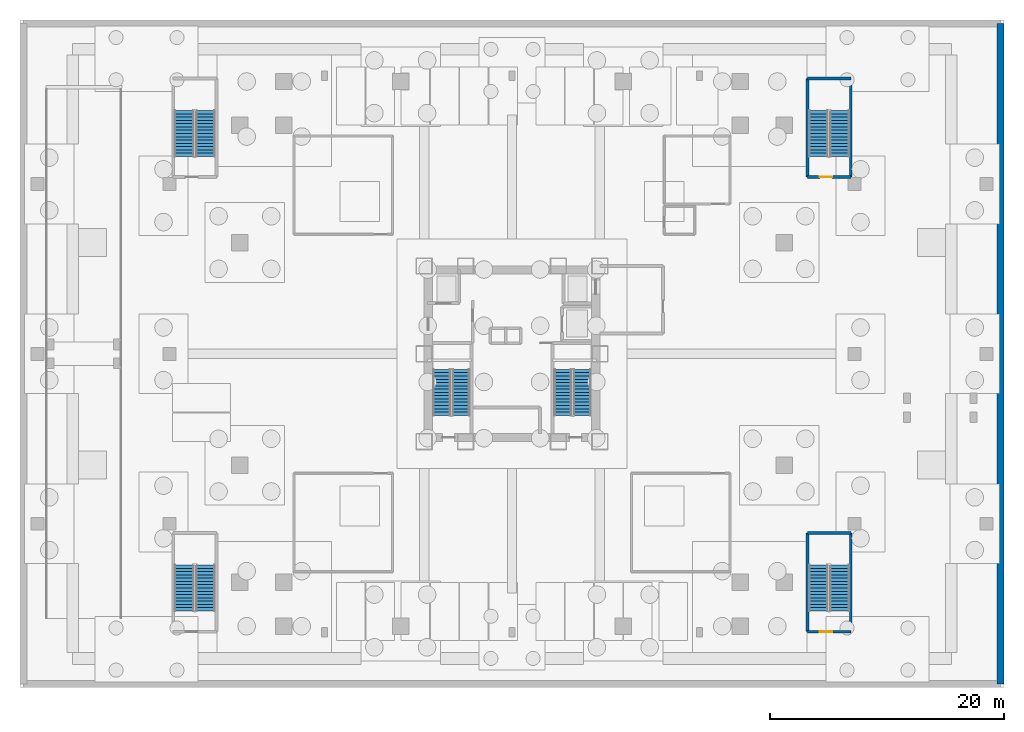
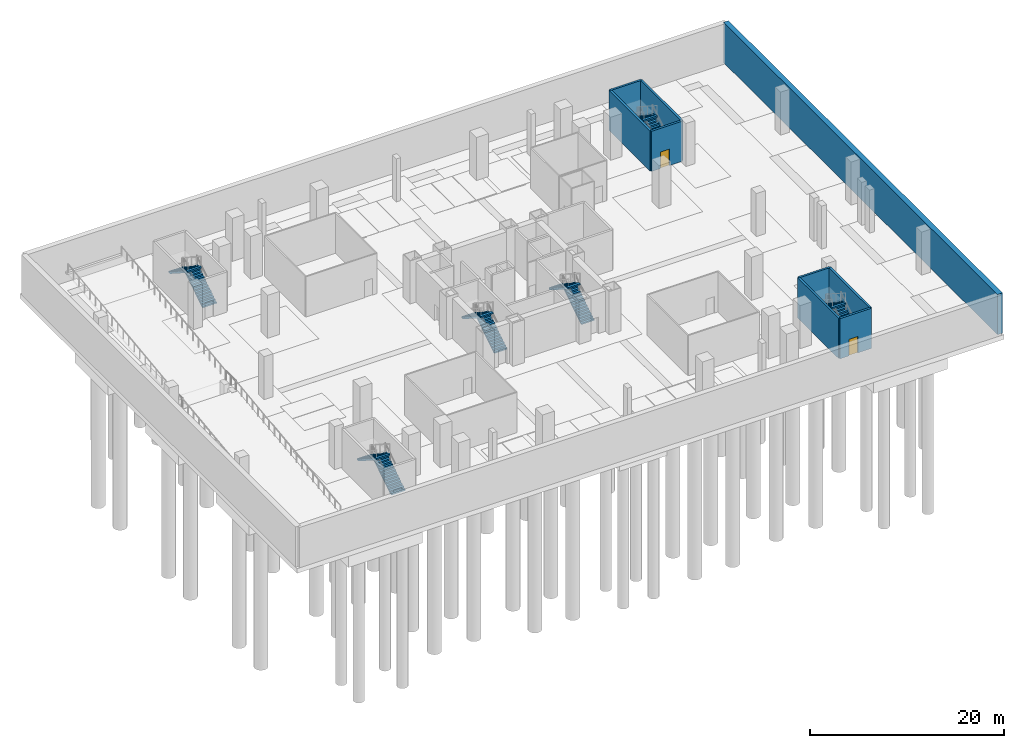
# One storey, part 7 of 16: 12 stair flights, 9 walls, 2 doors, 2 openings, 6 elements without a shape of their own.
"""IFC4 building model written with IfcOpenShell, lengths in metres."""

from ifc_helpers import new_model, si_unit, direction, frame, frame_2d, origin, place, context, subcontext, project, spatial, polyline, rectangle, outline, extrude, material, layer, layer_set, type_object, element, fill, aggregate, save


model = new_model("IFC4")

# Units and contexts
model_context = context("Model", 3, precision=1e-05, world=origin(), true_north=direction((0.0, 1.0)))
body_context = subcontext(model_context, "Body", "Model", "MODEL_VIEW")
ifc_project = project(units=[si_unit("LENGTHUNIT", "METRE"), si_unit("AREAUNIT", "SQUARE_METRE"), si_unit("VOLUMEUNIT", "CUBIC_METRE"), si_unit("PLANEANGLEUNIT", "RADIAN"), si_unit("MASSUNIT", "GRAM", prefix="KILO")], contexts=[model_context])

# Site, building, storey
site_placement = place(None, origin())
site = spatial("IfcSite", under=ifc_project, at=site_placement, CompositionType="ELEMENT")
building_placement = place(site_placement, origin())
building = spatial("IfcBuilding", under=site, at=building_placement, Name="Trevonay Congress Spire", CompositionType="ELEMENT")
storey_placement = place(building_placement, frame((0.0, 0.0, -10.800048828125)))
storey = spatial("IfcBuildingStorey", under=building, at=storey_placement, Name="B2", CompositionType="ELEMENT", Elevation=-10.800048828125)

# Wall
ifc_material_1 = material(Name="Concrete C50/60", Category="concrete")
ifc_layer_1 = layer(ifc_material_1, 0.60009765625, Name="Concrete C50/60")
ifc_layer_set_1 = layer_set([ifc_layer_1], Name="Concrete C50/60")
wall_type_1 = type_object("IfcWallType", Name="WAL-RETAIN-600", PredefinedType="USERDEFINED", material=ifc_layer_set_1)
wall_1_placement = place(storey_placement, frame((41.699951171875, -28.199951171875, 0.0), z_axis=(0.0, 0.0, 1.0), x_axis=(0.0, 1.0, 0.0)))
element("IfcWall", 1, at=wall_1_placement, inside=storey, type_object=wall_type_1, Name="B2 E perimeter concrete diaphragm retaining wall", ObjectType="RETAININGWALL", PredefinedType="USERDEFINED", context=body_context, shape_type="SweptSolid", body=[
    extrude(rectangle(XDim=56.39990234375, YDim=0.60009765625, at=frame_2d((28.199951171875, 0.0))), origin(), (0.0, 0.0, 1.0), 5.050048828125),
])

# Wall, opening, door
ifc_material_2 = material(Name="Concrete C40/50", Category="concrete")
ifc_layer_2 = layer(ifc_material_2, 0.25, Name="Concrete C40/50")
ifc_layer_set_2 = layer_set([ifc_layer_2], Name="Concrete C40/50")
wall_type_2 = type_object("IfcWallType", Name="WAL-SHAFT-LB-250", PredefinedType="SHEAR", material=ifc_layer_set_2)
wall_2_placement = place(storey_placement, frame((25.22998046875, -23.719970703125, 0.0), z_axis=(0.0, 0.0, 1.0), x_axis=(1.0, 0.0, 0.0)))
wall_2 = element("IfcWall", 2, at=wall_2_placement, inside=storey, type_object=wall_type_2, Name="B2 interior shaft wall WSH-B2-ST-4-S", PredefinedType="SHEAR", context=body_context, shape_type="SweptSolid", body=[
    extrude(rectangle(XDim=3.68994140625, YDim=0.25, at=frame_2d((1.844970703125, 0.0))), origin(), (0.0, 0.0, 1.0), 5.050048828125),
])
opening_1_placement = place(wall_2_placement, frame((1.050048828125, 0.0, 0.0)))
opening_1 = element("IfcOpeningElement", 3, at=opening_1_placement, cuts=wall_2, Name="Opening D05", PredefinedType="OPENING", context=body_context, shape_type="SweptSolid", body=[
    extrude(rectangle(XDim=1.050048828125, YDim=2.080078125, at=frame_2d((0.52490234375, 1.0400390625))), frame((0.0, 0.135009765625, 0.0), z_axis=(0.0, -1.0, 0.0), x_axis=(1.0, 0.0, 0.0)), (0.0, 0.0, 1.0), 0.27001953125),
])
ifc_material_3 = material(Name="Steel ASTM A572 Grade 50", Category="steel")
door_type = type_object("IfcDoorType", Name="DOR-STAIR-110", OperationType="NOTDEFINED", PredefinedType="DOOR", material=ifc_material_3)
door_1_placement = place(opening_1_placement, origin())
door_1 = element("IfcDoor", 4, at=door_1_placement, inside=storey, type_object=door_type, Name="B2 Escape Stair ST-4 Door", OperationType="SINGLE_SWING_RIGHT", OverallHeight=2.080078125, OverallWidth=1.050048828125, PredefinedType="DOOR", context=body_context, shape_type="SweptSolid", body=[
    extrude(rectangle(XDim=1.050048828125, YDim=2.080078125, at=frame_2d((0.52490234375, 1.0400390625))), frame((0.0, 0.02490234375, 0.0), z_axis=(0.0, -1.0, 0.0), x_axis=(1.0, 0.0, 0.0)), (0.0, 0.0, 1.0), 0.050048828125),
])
fill(opening_1, door_1)

# Walls
wall_3_placement = place(storey_placement, frame((25.22998046875, -15.280029296875, 0.0), z_axis=(0.0, 0.0, 1.0), x_axis=(1.0, 0.0, 0.0)))
element("IfcWall", 5, at=wall_3_placement, inside=storey, type_object=wall_type_2, Name="B2 interior shaft wall WSH-B2-ST-4-N", PredefinedType="SHEAR", context=body_context, shape_type="SweptSolid", body=[
    extrude(rectangle(XDim=3.68994140625, YDim=0.25, at=frame_2d((1.844970703125, 0.0))), origin(), (0.0, 0.0, 1.0), 5.050048828125),
])
for number, where, z_axis, x_axis, name in (
    (6, (25.22998046875, -23.719970703125, 0.0), (0.0, 0.0, 1.0), (0.0, 1.0, 0.0), "B2 interior shaft wall WSH-B2-ST-4-W"),
    (7, (28.919921875, -23.719970703125, 0.0), (0.0, 0.0, 1.0), (0.0, 1.0, 0.0), "B2 interior shaft wall WSH-B2-ST-4-E"),
):
    element("IfcWall", number, at=place(storey_placement, frame(where, z_axis=z_axis, x_axis=x_axis)), inside=storey, type_object=wall_type_2, Name=name, PredefinedType="SHEAR", context=body_context, shape_type="SweptSolid", body=[
        extrude(rectangle(XDim=8.43994140625, YDim=0.25, at=frame_2d((4.219970703125, 0.0))), origin(), (0.0, 0.0, 1.0), 5.050048828125),
    ])

# Wall, opening, door
wall_4_placement = place(storey_placement, frame((25.22998046875, 15.080078125, 0.0), z_axis=(0.0, 0.0, 1.0), x_axis=(1.0, 0.0, 0.0)))
wall_4 = element("IfcWall", 8, at=wall_4_placement, inside=storey, type_object=wall_type_2, Name="B2 interior shaft wall WSH-B2-ST-6-S", PredefinedType="SHEAR", context=body_context, shape_type="SweptSolid", body=[
    extrude(rectangle(XDim=3.68994140625, YDim=0.25, at=frame_2d((1.844970703125, 0.0))), origin(), (0.0, 0.0, 1.0), 5.050048828125),
])
opening_2_placement = place(wall_4_placement, frame((1.050048828125, 0.0, 0.0)))
opening_2 = element("IfcOpeningElement", 9, at=opening_2_placement, cuts=wall_4, Name="Opening D05", PredefinedType="OPENING", context=body_context, shape_type="SweptSolid", body=[
    extrude(rectangle(XDim=1.050048828125, YDim=2.080078125, at=frame_2d((0.52490234375, 1.0400390625))), frame((0.0, 0.135009765625, 0.0), z_axis=(0.0, -1.0, 0.0), x_axis=(1.0, 0.0, 0.0)), (0.0, 0.0, 1.0), 0.27001953125),
])
door_2_placement = place(opening_2_placement, origin())
door_2 = element("IfcDoor", 10, at=door_2_placement, inside=storey, type_object=door_type, Name="B2 Escape Stair ST-6 Door", OperationType="SINGLE_SWING_RIGHT", OverallHeight=2.080078125, OverallWidth=1.050048828125, PredefinedType="DOOR", context=body_context, shape_type="SweptSolid", body=[
    extrude(rectangle(XDim=1.050048828125, YDim=2.080078125, at=frame_2d((0.52490234375, 1.0400390625))), frame((0.0, 0.02490234375, 0.0), z_axis=(0.0, -1.0, 0.0), x_axis=(1.0, 0.0, 0.0)), (0.0, 0.0, 1.0), 0.050048828125),
])
fill(opening_2, door_2)

# Walls
wall_5_placement = place(storey_placement, frame((25.22998046875, 23.52001953125, 0.0), z_axis=(0.0, 0.0, 1.0), x_axis=(1.0, 0.0, 0.0)))
element("IfcWall", 11, at=wall_5_placement, inside=storey, type_object=wall_type_2, Name="B2 interior shaft wall WSH-B2-ST-6-N", PredefinedType="SHEAR", context=body_context, shape_type="SweptSolid", body=[
    extrude(rectangle(XDim=3.68994140625, YDim=0.25, at=frame_2d((1.844970703125, 0.0))), origin(), (0.0, 0.0, 1.0), 5.050048828125),
])
for number, where, z_axis, x_axis, name in (
    (12, (25.22998046875, 15.080078125, 0.0), (0.0, 0.0, 1.0), (0.0, 1.0, 0.0), "B2 interior shaft wall WSH-B2-ST-6-W"),
    (13, (28.919921875, 15.080078125, 0.0), (0.0, 0.0, 1.0), (0.0, 1.0, 0.0), "B2 interior shaft wall WSH-B2-ST-6-E"),
):
    element("IfcWall", number, at=place(storey_placement, frame(where, z_axis=z_axis, x_axis=x_axis)), inside=storey, type_object=wall_type_2, Name=name, PredefinedType="SHEAR", context=body_context, shape_type="SweptSolid", body=[
        extrude(rectangle(XDim=8.43994140625, YDim=0.25, at=frame_2d((4.219970703125, 0.0))), origin(), (0.0, 0.0, 1.0), 5.050048828125),
    ])

# Stair, stair flights
stair_type_1 = type_object("IfcStairType", Name="STR-ST-1", PredefinedType="HALF_TURN_STAIR", material=ifc_material_2)
stair_1_placement = place(storey_placement, origin())
stair_1 = element("IfcStair", 14, at=stair_1_placement, inside=storey, type_object=stair_type_1, Name="B2 Protected Exit Stair ST-1", PredefinedType="HALF_TURN_STAIR")
stair_flight_type_1 = type_object("IfcStairFlightType", Name="SFL-ST-1", PredefinedType="STRAIGHT", material=ifc_material_2)
stair_flight_1_placement = place(storey_placement, frame((-4.35009765625, -5.25, 0.0), z_axis=(0.0, 0.0, 1.0), x_axis=(0.0, 1.0, 0.0)))
stair_flight_1 = element("IfcStairFlight", 15, at=stair_flight_1_placement, type_object=stair_flight_type_1, Name="ST-1 flight 1", NumberOfRisers=15, NumberOfTreads=14, PredefinedType="STRAIGHT", RiserHeight=0.18, TreadLength=0.28, context=body_context, shape_type="SweptSolid", body=[
    extrude(outline(polyline([(0.0, 0.0), (0.0, 0.179931640625), (0.280029296875, 0.179931640625), (0.280029296875, 0.360107421875), (0.56005859375, 0.360107421875), (0.56005859375, 0.5400390625), (0.840087890625, 0.5400390625), (0.840087890625, 0.719970703125), (1.1201171875, 0.719970703125), (1.1201171875, 0.89990234375), (1.39990234375, 0.89990234375), (1.39990234375, 1.080078125), (1.679931640625, 1.080078125), (1.679931640625, 1.260009765625), (1.9599609375, 1.260009765625), (1.9599609375, 1.43994140625), (2.239990234375, 1.43994140625), (2.239990234375, 1.6201171875), (2.52001953125, 1.6201171875), (2.52001953125, 1.800048828125), (2.800048828125, 1.800048828125), (2.800048828125, 1.97998046875), (3.080078125, 1.97998046875), (3.080078125, 2.159912109375), (3.360107421875, 2.159912109375), (3.360107421875, 2.340087890625), (3.639892578125, 2.340087890625), (3.639892578125, 2.52001953125), (3.919921875, 2.52001953125), (3.919921875, 2.699951171875), (3.919921875, 2.341796875), (0.277099609375, 0.0), (0.0, 0.0)])), frame((0.0, 0.75, 0.0), z_axis=(0.0, -1.0, 0.0), x_axis=(1.0, 0.0, 0.0)), (0.0, 0.0, 1.0), 1.5),
])
stair_flight_2_placement = place(storey_placement, frame((-6.0, -1.330078125, 2.699951171875), z_axis=(0.0, 0.0, 1.0), x_axis=(0.0, -1.0, 0.0)))
stair_flight_2 = element("IfcStairFlight", 16, at=stair_flight_2_placement, type_object=stair_flight_type_1, Name="ST-1 flight 2", NumberOfRisers=15, NumberOfTreads=14, PredefinedType="STRAIGHT", RiserHeight=0.18, TreadLength=0.28, context=body_context, shape_type="SweptSolid", body=[
    extrude(outline(polyline([(0.0, 0.0), (0.0, 0.179931640625), (0.280029296875, 0.179931640625), (0.280029296875, 0.360107421875), (0.56005859375, 0.360107421875), (0.56005859375, 0.5400390625), (0.840087890625, 0.5400390625), (0.840087890625, 0.719970703125), (1.1201171875, 0.719970703125), (1.1201171875, 0.89990234375), (1.39990234375, 0.89990234375), (1.39990234375, 1.080078125), (1.679931640625, 1.080078125), (1.679931640625, 1.260009765625), (1.9599609375, 1.260009765625), (1.9599609375, 1.43994140625), (2.239990234375, 1.43994140625), (2.239990234375, 1.6201171875), (2.52001953125, 1.6201171875), (2.52001953125, 1.800048828125), (2.800048828125, 1.800048828125), (2.800048828125, 1.97998046875), (3.080078125, 1.97998046875), (3.080078125, 2.159912109375), (3.360107421875, 2.159912109375), (3.360107421875, 2.340087890625), (3.639892578125, 2.340087890625), (3.639892578125, 2.52001953125), (3.919921875, 2.52001953125), (3.919921875, 2.699951171875), (3.919921875, 2.341796875), (0.277099609375, 0.0), (0.0, 0.0)])), frame((0.0, 0.75, 0.0), z_axis=(0.0, -1.0, 0.0), x_axis=(1.0, 0.0, 0.0)), (0.0, 0.0, 1.0), 1.5),
])
aggregate(stair_1, [stair_flight_1, stair_flight_2])

stair_type_2 = type_object("IfcStairType", Name="STR-ST-2", PredefinedType="HALF_TURN_STAIR", material=ifc_material_2)
stair_2_placement = place(storey_placement, origin())
stair_2 = element("IfcStair", 17, at=stair_2_placement, inside=storey, type_object=stair_type_2, Name="B2 Protected Exit Stair ST-2", PredefinedType="HALF_TURN_STAIR")
stair_flight_type_2 = type_object("IfcStairFlightType", Name="SFL-ST-2", PredefinedType="STRAIGHT", material=ifc_material_2)
stair_flight_3_placement = place(storey_placement, frame((6.0, -5.25, 0.0), z_axis=(0.0, 0.0, 1.0), x_axis=(0.0, 1.0, 0.0)))
stair_flight_3 = element("IfcStairFlight", 18, at=stair_flight_3_placement, type_object=stair_flight_type_2, Name="ST-2 flight 1", NumberOfRisers=15, NumberOfTreads=14, PredefinedType="STRAIGHT", RiserHeight=0.18, TreadLength=0.28, context=body_context, shape_type="SweptSolid", body=[
    extrude(outline(polyline([(0.0, 0.0), (0.0, 0.179931640625), (0.280029296875, 0.179931640625), (0.280029296875, 0.360107421875), (0.56005859375, 0.360107421875), (0.56005859375, 0.5400390625), (0.840087890625, 0.5400390625), (0.840087890625, 0.719970703125), (1.1201171875, 0.719970703125), (1.1201171875, 0.89990234375), (1.39990234375, 0.89990234375), (1.39990234375, 1.080078125), (1.679931640625, 1.080078125), (1.679931640625, 1.260009765625), (1.9599609375, 1.260009765625), (1.9599609375, 1.43994140625), (2.239990234375, 1.43994140625), (2.239990234375, 1.6201171875), (2.52001953125, 1.6201171875), (2.52001953125, 1.800048828125), (2.800048828125, 1.800048828125), (2.800048828125, 1.97998046875), (3.080078125, 1.97998046875), (3.080078125, 2.159912109375), (3.360107421875, 2.159912109375), (3.360107421875, 2.340087890625), (3.639892578125, 2.340087890625), (3.639892578125, 2.52001953125), (3.919921875, 2.52001953125), (3.919921875, 2.699951171875), (3.919921875, 2.341796875), (0.277099609375, 0.0), (0.0, 0.0)])), frame((0.0, 0.75, 0.0), z_axis=(0.0, -1.0, 0.0), x_axis=(1.0, 0.0, 0.0)), (0.0, 0.0, 1.0), 1.5),
])
stair_flight_4_placement = place(storey_placement, frame((4.35009765625, -1.330078125, 2.699951171875), z_axis=(0.0, 0.0, 1.0), x_axis=(0.0, -1.0, 0.0)))
stair_flight_4 = element("IfcStairFlight", 19, at=stair_flight_4_placement, type_object=stair_flight_type_2, Name="ST-2 flight 2", NumberOfRisers=15, NumberOfTreads=14, PredefinedType="STRAIGHT", RiserHeight=0.18, TreadLength=0.28, context=body_context, shape_type="SweptSolid", body=[
    extrude(outline(polyline([(0.0, 0.0), (0.0, 0.179931640625), (0.280029296875, 0.179931640625), (0.280029296875, 0.360107421875), (0.56005859375, 0.360107421875), (0.56005859375, 0.5400390625), (0.840087890625, 0.5400390625), (0.840087890625, 0.719970703125), (1.1201171875, 0.719970703125), (1.1201171875, 0.89990234375), (1.39990234375, 0.89990234375), (1.39990234375, 1.080078125), (1.679931640625, 1.080078125), (1.679931640625, 1.260009765625), (1.9599609375, 1.260009765625), (1.9599609375, 1.43994140625), (2.239990234375, 1.43994140625), (2.239990234375, 1.6201171875), (2.52001953125, 1.6201171875), (2.52001953125, 1.800048828125), (2.800048828125, 1.800048828125), (2.800048828125, 1.97998046875), (3.080078125, 1.97998046875), (3.080078125, 2.159912109375), (3.360107421875, 2.159912109375), (3.360107421875, 2.340087890625), (3.639892578125, 2.340087890625), (3.639892578125, 2.52001953125), (3.919921875, 2.52001953125), (3.919921875, 2.699951171875), (3.919921875, 2.341796875), (0.277099609375, 0.0), (0.0, 0.0)])), frame((0.0, 0.75, 0.0), z_axis=(0.0, -1.0, 0.0), x_axis=(1.0, 0.0, 0.0)), (0.0, 0.0, 1.0), 1.5),
])
aggregate(stair_2, [stair_flight_3, stair_flight_4])

stair_type_3 = type_object("IfcStairType", Name="STR-ST-3", PredefinedType="HALF_TURN_STAIR", material=ifc_material_2)
stair_3_placement = place(storey_placement, origin())
stair_3 = element("IfcStair", 20, at=stair_3_placement, inside=storey, type_object=stair_type_3, Name="B2 Protected Exit Stair ST-3", PredefinedType="HALF_TURN_STAIR")
stair_flight_type_3 = type_object("IfcStairFlightType", Name="SFL-ST-3", PredefinedType="STRAIGHT", material=ifc_material_2)
stair_flight_5_placement = place(storey_placement, frame((-26.175048828125, -21.949951171875, 0.0), z_axis=(0.0, 0.0, 1.0), x_axis=(0.0, 1.0, 0.0)))
stair_flight_5 = element("IfcStairFlight", 21, at=stair_flight_5_placement, type_object=stair_flight_type_3, Name="ST-3 flight 1", NumberOfRisers=15, NumberOfTreads=14, PredefinedType="STRAIGHT", RiserHeight=0.18, TreadLength=0.28, context=body_context, shape_type="SweptSolid", body=[
    extrude(outline(polyline([(0.0, 0.0), (0.0, 0.179931640625), (0.280029296875, 0.179931640625), (0.280029296875, 0.360107421875), (0.56005859375, 0.360107421875), (0.56005859375, 0.5400390625), (0.840087890625, 0.5400390625), (0.840087890625, 0.719970703125), (1.1201171875, 0.719970703125), (1.1201171875, 0.89990234375), (1.39990234375, 0.89990234375), (1.39990234375, 1.080078125), (1.679931640625, 1.080078125), (1.679931640625, 1.260009765625), (1.9599609375, 1.260009765625), (1.9599609375, 1.43994140625), (2.239990234375, 1.43994140625), (2.239990234375, 1.6201171875), (2.52001953125, 1.6201171875), (2.52001953125, 1.800048828125), (2.800048828125, 1.800048828125), (2.800048828125, 1.97998046875), (3.080078125, 1.97998046875), (3.080078125, 2.159912109375), (3.360107421875, 2.159912109375), (3.360107421875, 2.340087890625), (3.639892578125, 2.340087890625), (3.639892578125, 2.52001953125), (3.919921875, 2.52001953125), (3.919921875, 2.699951171875), (3.919921875, 2.341796875), (0.277099609375, 0.0), (0.0, 0.0)])), frame((0.0, 0.824951171875, 0.0), z_axis=(0.0, -1.0, 0.0), x_axis=(1.0, 0.0, 0.0)), (0.0, 0.0, 1.0), 1.64990234375),
])
stair_flight_6_placement = place(storey_placement, frame((-27.97509765625, -18.030029296875, 2.699951171875), z_axis=(0.0, 0.0, 1.0), x_axis=(0.0, -1.0, 0.0)))
stair_flight_6 = element("IfcStairFlight", 22, at=stair_flight_6_placement, type_object=stair_flight_type_3, Name="ST-3 flight 2", NumberOfRisers=15, NumberOfTreads=14, PredefinedType="STRAIGHT", RiserHeight=0.18, TreadLength=0.28, context=body_context, shape_type="SweptSolid", body=[
    extrude(outline(polyline([(0.0, 0.0), (0.0, 0.179931640625), (0.280029296875, 0.179931640625), (0.280029296875, 0.360107421875), (0.56005859375, 0.360107421875), (0.56005859375, 0.5400390625), (0.840087890625, 0.5400390625), (0.840087890625, 0.719970703125), (1.1201171875, 0.719970703125), (1.1201171875, 0.89990234375), (1.39990234375, 0.89990234375), (1.39990234375, 1.080078125), (1.679931640625, 1.080078125), (1.679931640625, 1.260009765625), (1.9599609375, 1.260009765625), (1.9599609375, 1.43994140625), (2.239990234375, 1.43994140625), (2.239990234375, 1.6201171875), (2.52001953125, 1.6201171875), (2.52001953125, 1.800048828125), (2.800048828125, 1.800048828125), (2.800048828125, 1.97998046875), (3.080078125, 1.97998046875), (3.080078125, 2.159912109375), (3.360107421875, 2.159912109375), (3.360107421875, 2.340087890625), (3.639892578125, 2.340087890625), (3.639892578125, 2.52001953125), (3.919921875, 2.52001953125), (3.919921875, 2.699951171875), (3.919921875, 2.341796875), (0.277099609375, 0.0), (0.0, 0.0)])), frame((0.0, 0.824951171875, 0.0), z_axis=(0.0, -1.0, 0.0), x_axis=(1.0, 0.0, 0.0)), (0.0, 0.0, 1.0), 1.64990234375),
])
aggregate(stair_3, [stair_flight_5, stair_flight_6])

stair_type_4 = type_object("IfcStairType", Name="STR-ST-4", PredefinedType="HALF_TURN_STAIR", material=ifc_material_2)
stair_4_placement = place(storey_placement, origin())
stair_4 = element("IfcStair", 23, at=stair_4_placement, inside=storey, type_object=stair_type_4, Name="B2 Protected Exit Stair ST-4", PredefinedType="HALF_TURN_STAIR")
stair_flight_type_4 = type_object("IfcStairFlightType", Name="SFL-ST-4", PredefinedType="STRAIGHT", material=ifc_material_2)
stair_flight_7_placement = place(storey_placement, frame((27.97509765625, -21.949951171875, 0.0), z_axis=(0.0, 0.0, 1.0), x_axis=(0.0, 1.0, 0.0)))
stair_flight_7 = element("IfcStairFlight", 24, at=stair_flight_7_placement, type_object=stair_flight_type_4, Name="ST-4 flight 1", NumberOfRisers=15, NumberOfTreads=14, PredefinedType="STRAIGHT", RiserHeight=0.18, TreadLength=0.28, context=body_context, shape_type="SweptSolid", body=[
    extrude(outline(polyline([(0.0, 0.0), (0.0, 0.179931640625), (0.280029296875, 0.179931640625), (0.280029296875, 0.360107421875), (0.56005859375, 0.360107421875), (0.56005859375, 0.5400390625), (0.840087890625, 0.5400390625), (0.840087890625, 0.719970703125), (1.1201171875, 0.719970703125), (1.1201171875, 0.89990234375), (1.39990234375, 0.89990234375), (1.39990234375, 1.080078125), (1.679931640625, 1.080078125), (1.679931640625, 1.260009765625), (1.9599609375, 1.260009765625), (1.9599609375, 1.43994140625), (2.239990234375, 1.43994140625), (2.239990234375, 1.6201171875), (2.52001953125, 1.6201171875), (2.52001953125, 1.800048828125), (2.800048828125, 1.800048828125), (2.800048828125, 1.97998046875), (3.080078125, 1.97998046875), (3.080078125, 2.159912109375), (3.360107421875, 2.159912109375), (3.360107421875, 2.340087890625), (3.639892578125, 2.340087890625), (3.639892578125, 2.52001953125), (3.919921875, 2.52001953125), (3.919921875, 2.699951171875), (3.919921875, 2.341796875), (0.277099609375, 0.0), (0.0, 0.0)])), frame((0.0, 0.824951171875, 0.0), z_axis=(0.0, -1.0, 0.0), x_axis=(1.0, 0.0, 0.0)), (0.0, 0.0, 1.0), 1.64990234375),
])
stair_flight_8_placement = place(storey_placement, frame((26.175048828125, -18.030029296875, 2.699951171875), z_axis=(0.0, 0.0, 1.0), x_axis=(0.0, -1.0, 0.0)))
stair_flight_8 = element("IfcStairFlight", 25, at=stair_flight_8_placement, type_object=stair_flight_type_4, Name="ST-4 flight 2", NumberOfRisers=15, NumberOfTreads=14, PredefinedType="STRAIGHT", RiserHeight=0.18, TreadLength=0.28, context=body_context, shape_type="SweptSolid", body=[
    extrude(outline(polyline([(0.0, 0.0), (0.0, 0.179931640625), (0.280029296875, 0.179931640625), (0.280029296875, 0.360107421875), (0.56005859375, 0.360107421875), (0.56005859375, 0.5400390625), (0.840087890625, 0.5400390625), (0.840087890625, 0.719970703125), (1.1201171875, 0.719970703125), (1.1201171875, 0.89990234375), (1.39990234375, 0.89990234375), (1.39990234375, 1.080078125), (1.679931640625, 1.080078125), (1.679931640625, 1.260009765625), (1.9599609375, 1.260009765625), (1.9599609375, 1.43994140625), (2.239990234375, 1.43994140625), (2.239990234375, 1.6201171875), (2.52001953125, 1.6201171875), (2.52001953125, 1.800048828125), (2.800048828125, 1.800048828125), (2.800048828125, 1.97998046875), (3.080078125, 1.97998046875), (3.080078125, 2.159912109375), (3.360107421875, 2.159912109375), (3.360107421875, 2.340087890625), (3.639892578125, 2.340087890625), (3.639892578125, 2.52001953125), (3.919921875, 2.52001953125), (3.919921875, 2.699951171875), (3.919921875, 2.341796875), (0.277099609375, 0.0), (0.0, 0.0)])), frame((0.0, 0.824951171875, 0.0), z_axis=(0.0, -1.0, 0.0), x_axis=(1.0, 0.0, 0.0)), (0.0, 0.0, 1.0), 1.64990234375),
])
aggregate(stair_4, [stair_flight_7, stair_flight_8])

stair_type_5 = type_object("IfcStairType", Name="STR-ST-5", PredefinedType="HALF_TURN_STAIR", material=ifc_material_2)
stair_5_placement = place(storey_placement, origin())
stair_5 = element("IfcStair", 26, at=stair_5_placement, inside=storey, type_object=stair_type_5, Name="B2 Protected Exit Stair ST-5", PredefinedType="HALF_TURN_STAIR")
stair_flight_type_5 = type_object("IfcStairFlightType", Name="SFL-ST-5", PredefinedType="STRAIGHT", material=ifc_material_2)
stair_flight_9_placement = place(storey_placement, frame((-26.175048828125, 16.85009765625, 0.0), z_axis=(0.0, 0.0, 1.0), x_axis=(0.0, 1.0, 0.0)))
stair_flight_9 = element("IfcStairFlight", 27, at=stair_flight_9_placement, type_object=stair_flight_type_5, Name="ST-5 flight 1", NumberOfRisers=15, NumberOfTreads=14, PredefinedType="STRAIGHT", RiserHeight=0.18, TreadLength=0.28, context=body_context, shape_type="SweptSolid", body=[
    extrude(outline(polyline([(0.0, 0.0), (0.0, 0.179931640625), (0.280029296875, 0.179931640625), (0.280029296875, 0.360107421875), (0.56005859375, 0.360107421875), (0.56005859375, 0.5400390625), (0.840087890625, 0.5400390625), (0.840087890625, 0.719970703125), (1.1201171875, 0.719970703125), (1.1201171875, 0.89990234375), (1.39990234375, 0.89990234375), (1.39990234375, 1.080078125), (1.679931640625, 1.080078125), (1.679931640625, 1.260009765625), (1.9599609375, 1.260009765625), (1.9599609375, 1.43994140625), (2.239990234375, 1.43994140625), (2.239990234375, 1.6201171875), (2.52001953125, 1.6201171875), (2.52001953125, 1.800048828125), (2.800048828125, 1.800048828125), (2.800048828125, 1.97998046875), (3.080078125, 1.97998046875), (3.080078125, 2.159912109375), (3.360107421875, 2.159912109375), (3.360107421875, 2.340087890625), (3.639892578125, 2.340087890625), (3.639892578125, 2.52001953125), (3.919921875, 2.52001953125), (3.919921875, 2.699951171875), (3.919921875, 2.341796875), (0.277099609375, 0.0), (0.0, 0.0)])), frame((0.0, 0.824951171875, 0.0), z_axis=(0.0, -1.0, 0.0), x_axis=(1.0, 0.0, 0.0)), (0.0, 0.0, 1.0), 1.64990234375),
])
stair_flight_10_placement = place(storey_placement, frame((-27.97509765625, 20.77001953125, 2.699951171875), z_axis=(0.0, 0.0, 1.0), x_axis=(0.0, -1.0, 0.0)))
stair_flight_10 = element("IfcStairFlight", 28, at=stair_flight_10_placement, type_object=stair_flight_type_5, Name="ST-5 flight 2", NumberOfRisers=15, NumberOfTreads=14, PredefinedType="STRAIGHT", RiserHeight=0.18, TreadLength=0.28, context=body_context, shape_type="SweptSolid", body=[
    extrude(outline(polyline([(0.0, 0.0), (0.0, 0.179931640625), (0.280029296875, 0.179931640625), (0.280029296875, 0.360107421875), (0.56005859375, 0.360107421875), (0.56005859375, 0.5400390625), (0.840087890625, 0.5400390625), (0.840087890625, 0.719970703125), (1.1201171875, 0.719970703125), (1.1201171875, 0.89990234375), (1.39990234375, 0.89990234375), (1.39990234375, 1.080078125), (1.679931640625, 1.080078125), (1.679931640625, 1.260009765625), (1.9599609375, 1.260009765625), (1.9599609375, 1.43994140625), (2.239990234375, 1.43994140625), (2.239990234375, 1.6201171875), (2.52001953125, 1.6201171875), (2.52001953125, 1.800048828125), (2.800048828125, 1.800048828125), (2.800048828125, 1.97998046875), (3.080078125, 1.97998046875), (3.080078125, 2.159912109375), (3.360107421875, 2.159912109375), (3.360107421875, 2.340087890625), (3.639892578125, 2.340087890625), (3.639892578125, 2.52001953125), (3.919921875, 2.52001953125), (3.919921875, 2.699951171875), (3.919921875, 2.341796875), (0.277099609375, 0.0), (0.0, 0.0)])), frame((0.0, 0.824951171875, 0.0), z_axis=(0.0, -1.0, 0.0), x_axis=(1.0, 0.0, 0.0)), (0.0, 0.0, 1.0), 1.64990234375),
])
aggregate(stair_5, [stair_flight_9, stair_flight_10])

stair_type_6 = type_object("IfcStairType", Name="STR-ST-6", PredefinedType="HALF_TURN_STAIR", material=ifc_material_2)
stair_6_placement = place(storey_placement, origin())
stair_6 = element("IfcStair", 29, at=stair_6_placement, inside=storey, type_object=stair_type_6, Name="B2 Protected Exit Stair ST-6", PredefinedType="HALF_TURN_STAIR")
stair_flight_type_6 = type_object("IfcStairFlightType", Name="SFL-ST-6", PredefinedType="STRAIGHT", material=ifc_material_2)
stair_flight_11_placement = place(storey_placement, frame((27.97509765625, 16.85009765625, 0.0), z_axis=(0.0, 0.0, 1.0), x_axis=(0.0, 1.0, 0.0)))
stair_flight_11 = element("IfcStairFlight", 30, at=stair_flight_11_placement, type_object=stair_flight_type_6, Name="ST-6 flight 1", NumberOfRisers=15, NumberOfTreads=14, PredefinedType="STRAIGHT", RiserHeight=0.18, TreadLength=0.28, context=body_context, shape_type="SweptSolid", body=[
    extrude(outline(polyline([(0.0, 0.0), (0.0, 0.179931640625), (0.280029296875, 0.179931640625), (0.280029296875, 0.360107421875), (0.56005859375, 0.360107421875), (0.56005859375, 0.5400390625), (0.840087890625, 0.5400390625), (0.840087890625, 0.719970703125), (1.1201171875, 0.719970703125), (1.1201171875, 0.89990234375), (1.39990234375, 0.89990234375), (1.39990234375, 1.080078125), (1.679931640625, 1.080078125), (1.679931640625, 1.260009765625), (1.9599609375, 1.260009765625), (1.9599609375, 1.43994140625), (2.239990234375, 1.43994140625), (2.239990234375, 1.6201171875), (2.52001953125, 1.6201171875), (2.52001953125, 1.800048828125), (2.800048828125, 1.800048828125), (2.800048828125, 1.97998046875), (3.080078125, 1.97998046875), (3.080078125, 2.159912109375), (3.360107421875, 2.159912109375), (3.360107421875, 2.340087890625), (3.639892578125, 2.340087890625), (3.639892578125, 2.52001953125), (3.919921875, 2.52001953125), (3.919921875, 2.699951171875), (3.919921875, 2.341796875), (0.277099609375, 0.0), (0.0, 0.0)])), frame((0.0, 0.824951171875, 0.0), z_axis=(0.0, -1.0, 0.0), x_axis=(1.0, 0.0, 0.0)), (0.0, 0.0, 1.0), 1.64990234375),
])
stair_flight_12_placement = place(storey_placement, frame((26.175048828125, 20.77001953125, 2.699951171875), z_axis=(0.0, 0.0, 1.0), x_axis=(0.0, -1.0, 0.0)))
stair_flight_12 = element("IfcStairFlight", 31, at=stair_flight_12_placement, type_object=stair_flight_type_6, Name="ST-6 flight 2", NumberOfRisers=15, NumberOfTreads=14, PredefinedType="STRAIGHT", RiserHeight=0.18, TreadLength=0.28, context=body_context, shape_type="SweptSolid", body=[
    extrude(outline(polyline([(0.0, 0.0), (0.0, 0.179931640625), (0.280029296875, 0.179931640625), (0.280029296875, 0.360107421875), (0.56005859375, 0.360107421875), (0.56005859375, 0.5400390625), (0.840087890625, 0.5400390625), (0.840087890625, 0.719970703125), (1.1201171875, 0.719970703125), (1.1201171875, 0.89990234375), (1.39990234375, 0.89990234375), (1.39990234375, 1.080078125), (1.679931640625, 1.080078125), (1.679931640625, 1.260009765625), (1.9599609375, 1.260009765625), (1.9599609375, 1.43994140625), (2.239990234375, 1.43994140625), (2.239990234375, 1.6201171875), (2.52001953125, 1.6201171875), (2.52001953125, 1.800048828125), (2.800048828125, 1.800048828125), (2.800048828125, 1.97998046875), (3.080078125, 1.97998046875), (3.080078125, 2.159912109375), (3.360107421875, 2.159912109375), (3.360107421875, 2.340087890625), (3.639892578125, 2.340087890625), (3.639892578125, 2.52001953125), (3.919921875, 2.52001953125), (3.919921875, 2.699951171875), (3.919921875, 2.341796875), (0.277099609375, 0.0), (0.0, 0.0)])), frame((0.0, 0.824951171875, 0.0), z_axis=(0.0, -1.0, 0.0), x_axis=(1.0, 0.0, 0.0)), (0.0, 0.0, 1.0), 1.64990234375),
])
aggregate(stair_6, [stair_flight_11, stair_flight_12])

save(model, "model.ifc")
